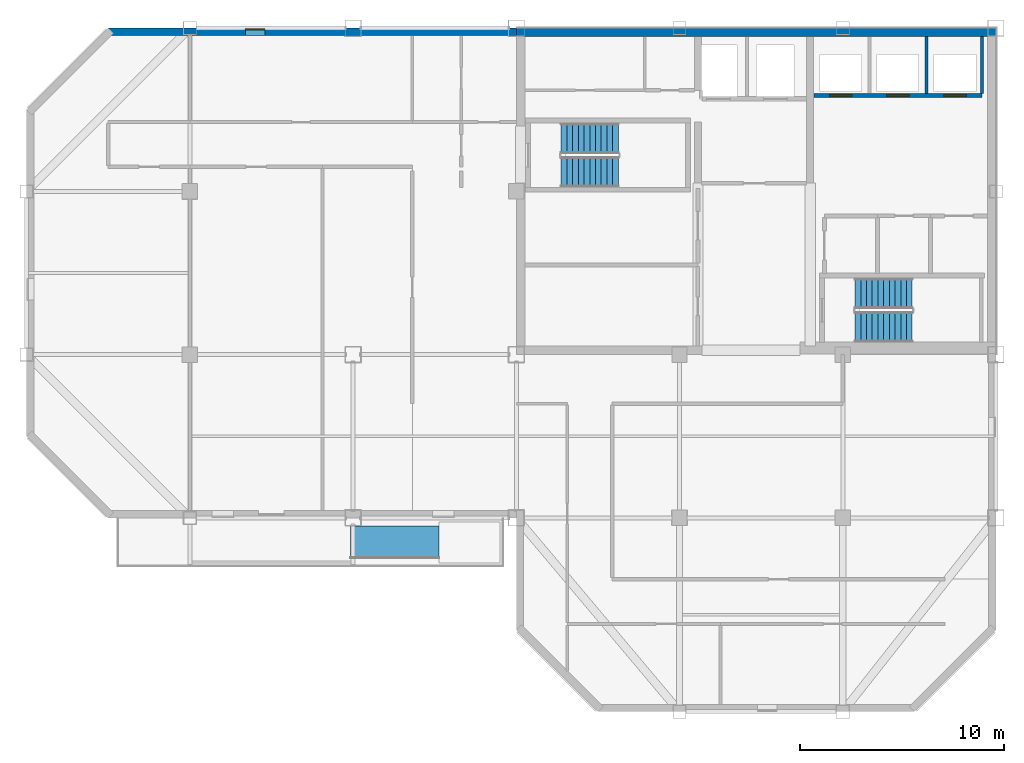
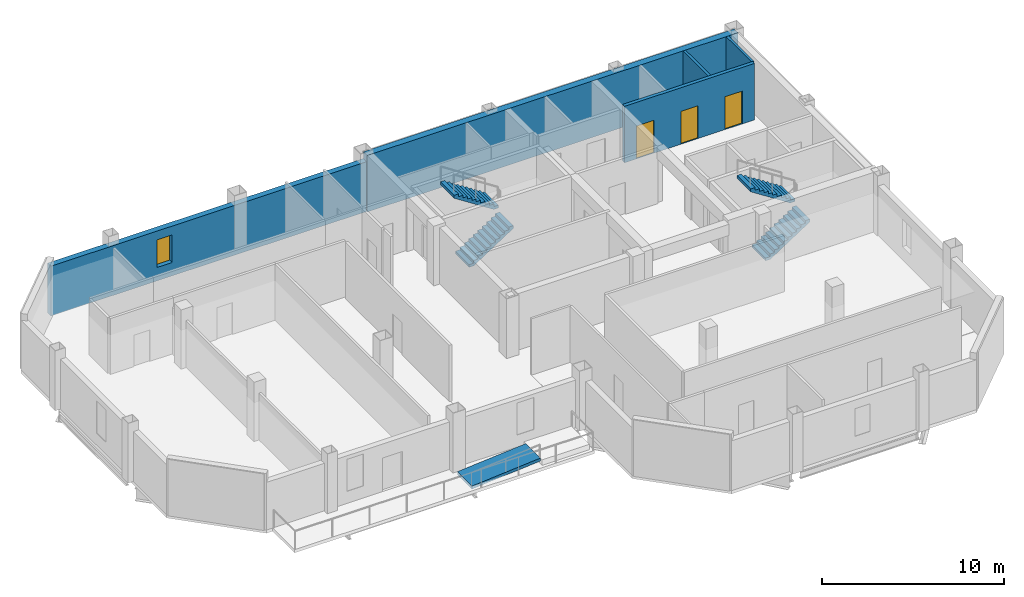
# One storey, part 4 of 7: 5 walls, 4 stair flights, 3 doors, 1 ramp flight, 1 window, 4 openings, 3 elements without a shape of their own.
"""IFC4 building model written with IfcOpenShell, lengths in metres."""

import ifcopenshell
import ifcopenshell.guid

model = None  # the IFC model being written
_history = None  # IfcOwnerHistory: only IFC2X3 demands one
_inside = {}  # id of a spatial element -> (the spatial element, [elements in it])
_under = {}  # id of a project, library or spatial element -> (it, [spatial elements below it])
_declared = {}  # id of a project -> (the project, [libraries it declares])
_typed = {}  # id of a type object -> (the type object, [elements of that type])
_made_of = {}  # id of a material, layer set ... -> (it, [elements and type objects made of it])


def new_model(schema):
    """Start an empty IFC model of exactly this schema.

    Asked for "IFC4X3", IfcOpenShell would pick the latest addendum, in which some entities
    have other attributes; the version numbers below select the first issue.
    IFC2X3 requires an IfcOwnerHistory on every rooted entity: one is made here for all.
    """
    global model, _history
    if schema == "IFC4X3":
        model = ifcopenshell.file(schema_version=(4, 3, 0, 0))
    else:
        model = ifcopenshell.file(schema=schema)
    _inside.clear()
    _under.clear()
    _declared.clear()
    _typed.clear()
    _made_of.clear()
    _history = None
    if model.schema == "IFC2X3":
        org = make("IfcOrganization", Name="unknown")
        user = make(
            "IfcPersonAndOrganization",
            ThePerson=make("IfcPerson", FamilyName="unknown"),
            TheOrganization=org,
        )
        app = make(
            "IfcApplication",
            ApplicationDeveloper=org,
            Version="unknown",
            ApplicationFullName="unknown",
            ApplicationIdentifier="unknown",
        )
        _history = make(
            "IfcOwnerHistory",
            OwningUser=user,
            OwningApplication=app,
            ChangeAction="ADDED",
            CreationDate=0,
        )
    return model


def make(cls, **values):
    """One entity of the class cls with the attributes given. An attribute that is None is left unset."""
    return model.create_entity(
        cls, **{name: value for name, value in values.items() if value is not None}
    )


def rooted(cls, **values):
    """An entity with a GlobalId (a new one), such as an element, a storey or a relation."""
    return make(cls, GlobalId=ifcopenshell.guid.new(), OwnerHistory=_history, **values)


def si_unit(unit_type, name, prefix=None):
    """IfcSIUnit, for example si_unit("LENGTHUNIT", "METRE", prefix="MILLI")."""
    return make("IfcSIUnit", UnitType=unit_type, Prefix=prefix, Name=name)


def assignment(units):
    """IfcUnitAssignment: the units of a project."""
    return None if units is None else make("IfcUnitAssignment", Units=units)


def point(xyz):
    """IfcCartesianPoint."""
    return None if xyz is None else make("IfcCartesianPoint", Coordinates=xyz)


def direction(xyz):
    """IfcDirection."""
    return None if xyz is None else make("IfcDirection", DirectionRatios=xyz)


def frame(location, z_axis=None, x_axis=None):
    """IfcAxis2Placement3D, a coordinate frame: its origin and axes. An axis left out is left unset."""
    return make(
        "IfcAxis2Placement3D",
        Location=point(location),
        Axis=direction(z_axis),
        RefDirection=direction(x_axis),
    )


def frame_2d(location, x_axis=None):
    """IfcAxis2Placement2D, a coordinate frame in the plane: its origin and x axis."""
    return make(
        "IfcAxis2Placement2D", Location=point(location), RefDirection=direction(x_axis)
    )


def origin():
    """The frame at (0, 0, 0) with its axes left unset."""
    return frame((0.0, 0.0, 0.0))


def place(relative_to, where):
    """IfcLocalPlacement: puts the frame where relative to a parent placement (None: the world)."""
    return make(
        "IfcLocalPlacement", PlacementRelTo=relative_to, RelativePlacement=where
    )


def context(
    kind, dimensions, precision=None, world=None, true_north=None, identifier=None
):
    """IfcGeometricRepresentationContext, for example the 3D "Model" context."""
    return make(
        "IfcGeometricRepresentationContext",
        ContextIdentifier=identifier,
        ContextType=kind,
        CoordinateSpaceDimension=dimensions,
        Precision=precision,
        WorldCoordinateSystem=world,
        TrueNorth=true_north,
    )


def subcontext(parent, identifier, kind, view, scale=None):
    """IfcGeometricRepresentationSubContext, for example "Body" below "Model"."""
    return make(
        "IfcGeometricRepresentationSubContext",
        ContextIdentifier=identifier,
        ContextType=kind,
        ParentContext=parent,
        TargetScale=scale,
        TargetView=view,
    )


def project(units=None, contexts=None):
    """IfcProject with its units and contexts."""
    return rooted(
        "IfcProject",
        Name="project",
        RepresentationContexts=contexts,
        UnitsInContext=assignment(units),
    )


def spatial(cls, under=None, at=None, **own):
    """A site, building, storey or space (cls), placed at a placement, below another one or the project."""
    s = rooted(cls, ObjectPlacement=at, **own)
    if under is not None:
        _under.setdefault(under.id(), (under, []))[1].append(s)
    return s


def polyline(points):
    """IfcPolyline through the points."""
    return make("IfcPolyline", Points=[point(p) for p in points])


def profile(cls, at=None, kind="AREA", **sizes):
    """A parametric profile (cls). Its sizes go by their IFC names, for example OverallWidth=200.0."""
    return make(cls, ProfileType=kind, Position=at, **sizes)


def rectangle(**sizes):
    """IfcRectangleProfileDef."""
    return profile("IfcRectangleProfileDef", **sizes)


def outline(outer, holes=None, kind="AREA"):
    """IfcArbitraryClosedProfileDef: a profile drawn as a closed curve; with holes, ...WithVoids."""
    if holes is None:
        return make("IfcArbitraryClosedProfileDef", ProfileType=kind, OuterCurve=outer)
    return make(
        "IfcArbitraryProfileDefWithVoids",
        ProfileType=kind,
        OuterCurve=outer,
        InnerCurves=holes,
    )


def extrude(swept, where, along, depth):
    """IfcExtrudedAreaSolid: the profile swept, set in the frame where, extruded along a direction by depth."""
    return make(
        "IfcExtrudedAreaSolid",
        SweptArea=swept,
        Position=where,
        ExtrudedDirection=direction(along),
        Depth=depth,
    )


def shape(context_of_items, identifier, shape_type, items):
    """IfcShapeRepresentation: the items that make up one representation, for example the "Body"."""
    return make(
        "IfcShapeRepresentation",
        ContextOfItems=context_of_items,
        RepresentationIdentifier=identifier,
        RepresentationType=shape_type,
        Items=items,
    )


def material(Name=None, Category=None):
    """IfcMaterial."""
    return make("IfcMaterial", Name=Name, Category=Category)


def layer(
    of_material, thickness, ventilated=None, Name=None, Category=None, Priority=None
):
    """IfcMaterialLayer: one layer of a wall or slab, of a material (None: an air gap)."""
    return make(
        "IfcMaterialLayer",
        Material=of_material,
        LayerThickness=thickness,
        IsVentilated=ventilated,
        Name=Name,
        Category=Category,
        Priority=Priority,
    )


def layer_set(layers, Name=None):
    """IfcMaterialLayerSet."""
    return make("IfcMaterialLayerSet", MaterialLayers=layers, LayerSetName=Name)


def made_of(thing, what):
    """Note that an element or type object is made of a material, layer set ...; save() writes the relation."""
    if what is not None:
        _made_of.setdefault(what.id(), (what, []))[1].append(thing)
    return thing


def type_object(cls, material=None, **own):
    """A type object (cls), such as IfcWallType, which elements share."""
    return made_of(rooted(cls, **own), material)


def element(
    cls,
    number,
    at=None,
    inside=None,
    cuts=None,
    type_object=None,
    material=None,
    context=None,
    identifier="Body",
    shape_type=None,
    held_by="IfcProductDefinitionShape",
    body=None,
    shapes=None,
    **own,
):
    """One element of the class cls, such as IfcWall. Its Tag is "e" and its number.

    at: its placement. inside: the storey or other place that contains it. cuts: it is an
    opening in that element (IfcRelVoidsElement). A single representation is given by context,
    identifier, shape_type and body (its items); several are given by shapes. held_by: the class
    of the entity that holds the representations. save() writes the other relations.
    """
    e = rooted(cls, Tag="e%d" % number, ObjectPlacement=at, **own)
    if body is not None:
        shapes = [shape(context, identifier, shape_type, body)]
    if shapes is not None:
        e.Representation = make(held_by, Representations=shapes)
    if inside is not None:
        _inside.setdefault(inside.id(), (inside, []))[1].append(e)
    if cuts is not None:
        rooted(
            "IfcRelVoidsElement", RelatingBuildingElement=cuts, RelatedOpeningElement=e
        )
    if type_object is not None:
        _typed.setdefault(type_object.id(), (type_object, []))[1].append(e)
    return made_of(e, material)


def fill(opening, filler):
    """IfcRelFillsElement: the door or window that sits in an opening."""
    return rooted(
        "IfcRelFillsElement",
        RelatingOpeningElement=opening,
        RelatedBuildingElement=filler,
    )


def aggregate(whole, parts):
    """IfcRelAggregates: a whole, such as a stair, and the parts it consists of."""
    return rooted("IfcRelAggregates", RelatingObject=whole, RelatedObjects=parts)


def save(model, path):
    """Write the relations noted so far, then the file.

    IfcRelAggregates (storeys below a building ...), IfcRelContainedInSpatialStructure (elements
    in a storey), IfcRelDefinesByType, IfcRelAssociatesMaterial and IfcRelDeclares: one each for
    every whole, place, type object, material and project.
    """
    for whole, parts in _under.values():
        aggregate(whole, parts)
    for where, things in _inside.values():
        rooted(
            "IfcRelContainedInSpatialStructure",
            RelatedElements=things,
            RelatingStructure=where,
        )
    for kind, things in _typed.values():
        rooted("IfcRelDefinesByType", RelatedObjects=things, RelatingType=kind)
    for what, things in _made_of.values():
        rooted("IfcRelAssociatesMaterial", RelatedObjects=things, RelatingMaterial=what)
    for by, libraries in _declared.values():
        rooted("IfcRelDeclares", RelatingContext=by, RelatedDefinitions=libraries)
    model.write(path)


model = new_model("IFC4")

# Units and contexts
model_context = context("Model", 3, precision=1e-05, world=origin(), true_north=direction((0.0, 1.0)))
body_context = subcontext(model_context, "Body", "Model", "MODEL_VIEW")
ifc_project = project(units=[si_unit("LENGTHUNIT", "METRE"), si_unit("AREAUNIT", "SQUARE_METRE"), si_unit("VOLUMEUNIT", "CUBIC_METRE"), si_unit("PLANEANGLEUNIT", "RADIAN"), si_unit("MASSUNIT", "GRAM", prefix="KILO")], contexts=[model_context])

# Site, building, storey
site_placement = place(None, origin())
site = spatial("IfcSite", under=ifc_project, at=site_placement, CompositionType="ELEMENT")
building_placement = place(site_placement, origin())
building = spatial("IfcBuilding", under=site, at=building_placement, Name="Qianrong Seaharbour Tower", CompositionType="ELEMENT")
storey_placement = place(building_placement, frame((0.0, 0.0, 323.199951171875)))
storey = spatial("IfcBuildingStorey", under=building, at=storey_placement, Name="L78", CompositionType="ELEMENT", Elevation=323.199951171875)

# Wall
ifc_material_1 = material(Name="Concrete C50/60", Category="concrete")
ifc_layer_1 = layer(ifc_material_1, 0.419921875)
ifc_layer_set_1 = layer_set([ifc_layer_1], Name="Concrete C50/60")
wall_type_1 = type_object("IfcWallType", Name="WALL-CORE-420", PredefinedType="SHEAR", material=ifc_layer_set_1)
wall_1_placement = place(storey_placement, frame((40.5, 51.7900390625, 0.0), z_axis=(0.0, 0.0, 1.0), x_axis=(1.0, 0.0, 0.0)))
element("IfcWall", 1, at=wall_1_placement, inside=storey, type_object=wall_type_1, Name="L78 North Core Shear Wall", PredefinedType="SHEAR", context=body_context, shape_type="SweptSolid", body=[
    extrude(rectangle(XDim=23.5, YDim=0.419921875, at=frame_2d((11.75, 0.0))), origin(), (0.0, 0.0, 1.0), 3.78515625),
])

# Wall, opening, window
ifc_material_2 = material(Name="Unitised red brick on Precast concrete C45/55", Category="masonry")
ifc_layer_2 = layer(ifc_material_2, 0.360107421875)
ifc_layer_set_2 = layer_set([ifc_layer_2], Name="Unitised red brick on Precast concrete C45/55")
wall_type_2 = type_object("IfcWallType", Name="WALL-EXT-BRICK-RED-360", PredefinedType="SOLIDWALL", material=ifc_layer_set_2)
wall_2_placement = place(storey_placement, frame((20.5, 51.820068359375, 0.0), z_axis=(0.0, 0.0, 1.0), x_axis=(1.0, 0.0, 0.0)))
wall_2 = element("IfcWall", 2, at=wall_2_placement, inside=storey, type_object=wall_type_2, Name="L78 Exterior Masonry Facade Wall NORTH_WING", PredefinedType="SOLIDWALL", context=body_context, shape_type="SweptSolid", body=[
    extrude(rectangle(XDim=20.02001953125, YDim=0.360107421875, at=frame_2d((10.010009765625, 0.0))), origin(), (0.0, 0.0, 1.0), 3.3349609375),
])
opening_1_placement = place(wall_2_placement, frame((6.72509765625, 0.0, 0.89990234375)))
opening_1 = element("IfcOpeningElement", 3, at=opening_1_placement, cuts=wall_2, Name="Opening WN-13", PredefinedType="OPENING", context=body_context, shape_type="SweptSolid", body=[
    extrude(rectangle(XDim=0.949951171875, YDim=1.85009765625, at=frame_2d((0.47509765625, 0.925048828125))), frame((0.0, 0.18994140625, 0.0), z_axis=(0.0, -1.0, 0.0), x_axis=(1.0, 0.0, 0.0)), (0.0, 0.0, 1.0), 0.380126953125),
])
ifc_material_3 = material(Name="Insulated low-e double glazing in thermally broken aluminium 6063-T6 frame", Category="aluminium")
window_type = type_object("IfcWindowType", Name="WIN-NARROW-950x1850", PartitioningType="SINGLE_PANEL", PredefinedType="WINDOW", material=ifc_material_3)
window_placement = place(opening_1_placement, origin())
window = element("IfcWindow", 4, at=window_placement, inside=storey, type_object=window_type, Name="L78 Deep-Set Punched Window 05.02", OverallHeight=1.85009765625, OverallWidth=0.949951171875, PartitioningType="SINGLE_PANEL", PredefinedType="WINDOW", context=body_context, shape_type="SweptSolid", body=[
    extrude(rectangle(XDim=0.949951171875, YDim=1.85009765625, at=frame_2d((0.47509765625, 0.925048828125))), frame((0.0, 0.150146484375, 0.0), z_axis=(0.0, -1.0, 0.0), x_axis=(1.0, 0.0, 0.0)), (0.0, 0.0, 1.0), 0.06005859375),
])
fill(opening_1, window)

# Walls
ifc_material_4 = material(Name="Fire-rated gypsum board on steel studs", Category="steel")
ifc_layer_3 = layer(ifc_material_4, 0.14990234375)
ifc_layer_set_3 = layer_set([ifc_layer_3], Name="Fire-rated gypsum board on steel studs")
wall_type_3 = type_object("IfcWallType", Name="WALL-SHAFT-DIV-150", PredefinedType="PARTITIONING", material=ifc_layer_set_3)
for number, where, z_axis, x_axis, name in (
    (5, (60.60009765625, 48.81005859375, 0.0), (0.0, 0.0, 1.0), (0.0, 1.0, 0.0), "L78 P4 Lift Hoistway Divider 3"),
    (6, (63.320068359375, 48.81005859375, 0.0), (0.0, 0.0, 1.0), (0.0, 1.0, 0.0), "L78 P4 Lift Hoistway Divider 4"),
):
    element("IfcWall", number, at=place(storey_placement, frame(where, z_axis=z_axis, x_axis=x_axis)), inside=storey, type_object=wall_type_3, Name=name, PredefinedType="PARTITIONING", context=body_context, shape_type="SweptSolid", body=[
        extrude(rectangle(XDim=2.77001953125, YDim=0.14990234375, at=frame_2d((1.385009765625, 0.0))), origin(), (0.0, 0.0, 1.0), 3.78515625),
    ])

# Wall, openings, doors
ifc_layer_4 = layer(ifc_material_4, 0.219970703125)
ifc_layer_set_4 = layer_set([ifc_layer_4], Name="Fire-rated gypsum board on steel studs")
wall_type_4 = type_object("IfcWallType", Name="WALL-SHAFT-GYP220", PredefinedType="PARTITIONING", material=ifc_layer_set_4)
wall_3_placement = place(storey_placement, frame((63.320068359375, 48.699951171875, 0.0), z_axis=(0.0, 0.0, 1.0), x_axis=(-1.0, 0.0, 0.0)))
wall_3 = element("IfcWall", 7, at=wall_3_placement, inside=storey, type_object=wall_type_4, Name="L78 P4 Lift Hoistway Front Wall", PredefinedType="PARTITIONING", context=body_context, shape_type="SweptSolid", body=[
    extrude(rectangle(XDim=8.239990234375, YDim=0.219970703125, at=frame_2d((4.1201171875, 0.0))), origin(), (0.0, 0.0, 1.0), 3.78515625),
])
opening_2_placement = place(wall_3_placement, frame((6.3701171875, 0.0, 0.0)))
opening_2 = element("IfcOpeningElement", 8, at=opening_2_placement, cuts=wall_3, Name="Opening LD-02", PredefinedType="OPENING", context=body_context, shape_type="SweptSolid", body=[
    extrude(rectangle(XDim=1.10009765625, YDim=2.199951171875, at=frame_2d((0.550048828125, 1.10009765625))), frame((0.0, 0.1201171875, 0.0), z_axis=(0.0, -1.0, 0.0), x_axis=(1.0, 0.0, 0.0)), (0.0, 0.0, 1.0), 0.239990234375),
])
opening_3_placement = place(wall_3_placement, frame((3.570068359375, 0.0, 0.0)))
opening_3 = element("IfcOpeningElement", 9, at=opening_3_placement, cuts=wall_3, Name="Opening LD-02", PredefinedType="OPENING", context=body_context, shape_type="SweptSolid", body=[
    extrude(rectangle(XDim=1.10009765625, YDim=2.199951171875, at=frame_2d((0.550048828125, 1.10009765625))), frame((0.0, 0.1201171875, 0.0), z_axis=(0.0, -1.0, 0.0), x_axis=(1.0, 0.0, 0.0)), (0.0, 0.0, 1.0), 0.239990234375),
])
opening_4_placement = place(wall_3_placement, frame((0.77001953125, 0.0, 0.0)))
opening_4 = element("IfcOpeningElement", 10, at=opening_4_placement, cuts=wall_3, Name="Opening LD-02", PredefinedType="OPENING", context=body_context, shape_type="SweptSolid", body=[
    extrude(rectangle(XDim=1.10009765625, YDim=2.199951171875, at=frame_2d((0.550048828125, 1.10009765625))), frame((0.0, 0.1201171875, 0.0), z_axis=(0.0, -1.0, 0.0), x_axis=(1.0, 0.0, 0.0)), (0.0, 0.0, 1.0), 0.239990234375),
])
ifc_material_5 = material(Name="Stainless steel SUS316L bi-parting lift landing door", Category="steel")
door_type = type_object("IfcDoorType", Name="DOOR-LIFT-PASS-1100x2200", OperationType="DOUBLE_DOOR_SLIDING", PredefinedType="DOOR", material=ifc_material_5)
door_1_placement = place(opening_2_placement, origin())
door_1 = element("IfcDoor", 11, at=door_1_placement, inside=storey, type_object=door_type, Name="L78 PL-4A Lift Landing Door", OperationType="DOUBLE_DOOR_SLIDING", OverallHeight=2.199951171875, OverallWidth=1.10009765625, PredefinedType="DOOR", context=body_context, shape_type="SweptSolid", body=[
    extrude(rectangle(XDim=1.10009765625, YDim=2.199951171875, at=frame_2d((0.550048828125, 1.10009765625))), frame((0.0, 0.02490234375, 0.0), z_axis=(0.0, -1.0, 0.0), x_axis=(1.0, 0.0, 0.0)), (0.0, 0.0, 1.0), 0.050048828125),
])
fill(opening_2, door_1)
door_2_placement = place(opening_3_placement, origin())
door_2 = element("IfcDoor", 12, at=door_2_placement, inside=storey, type_object=door_type, Name="L78 PL-4B Lift Landing Door", OperationType="DOUBLE_DOOR_SLIDING", OverallHeight=2.199951171875, OverallWidth=1.10009765625, PredefinedType="DOOR", context=body_context, shape_type="SweptSolid", body=[
    extrude(rectangle(XDim=1.10009765625, YDim=2.199951171875, at=frame_2d((0.550048828125, 1.10009765625))), frame((0.0, 0.02490234375, 0.0), z_axis=(0.0, -1.0, 0.0), x_axis=(1.0, 0.0, 0.0)), (0.0, 0.0, 1.0), 0.050048828125),
])
fill(opening_3, door_2)
door_3_placement = place(opening_4_placement, origin())
door_3 = element("IfcDoor", 13, at=door_3_placement, inside=storey, type_object=door_type, Name="L78 PL-4C Lift Landing Door", OperationType="DOUBLE_DOOR_SLIDING", OverallHeight=2.199951171875, OverallWidth=1.10009765625, PredefinedType="DOOR", context=body_context, shape_type="SweptSolid", body=[
    extrude(rectangle(XDim=1.10009765625, YDim=2.199951171875, at=frame_2d((0.550048828125, 1.10009765625))), frame((0.0, 0.02490234375, 0.0), z_axis=(0.0, -1.0, 0.0), x_axis=(1.0, 0.0, 0.0)), (0.0, 0.0, 1.0), 0.050048828125),
])
fill(opening_4, door_3)

# Stair, stair flights
stair_type = type_object("IfcStairType", Name="STAIR-DOGLEG-1500-R22", PredefinedType="HALF_TURN_STAIR", material=ifc_material_1)
stair_1_placement = place(storey_placement, origin())
stair_1 = element("IfcStair", 14, at=stair_1_placement, inside=storey, type_object=stair_type, Name="L78 Protected Escape Stair ST-1", PredefinedType="HALF_TURN_STAIR")
stair_flight_type = type_object("IfcStairFlightType", Name="FLIGHT-STR-1500-R22", PredefinedType="STRAIGHT", material=ifc_material_1)
stair_flight_1_placement = place(storey_placement, frame((42.699951171875, 44.949951171875, 0.0), z_axis=(0.0, 0.0, 1.0), x_axis=(1.0, 0.0, 0.0)))
stair_flight_1 = element("IfcStairFlight", 15, at=stair_flight_1_placement, type_object=stair_flight_type, Name="ST-1 flight 1", NumberOfRisers=11, NumberOfTreads=10, PredefinedType="STRAIGHT", RiserHeight=0.181818182, TreadLength=0.28, context=body_context, shape_type="SweptSolid", body=[
    extrude(outline(polyline([(0.0, 0.0), (0.0, 0.181884765625), (0.280029296875, 0.181884765625), (0.280029296875, 0.363525390625), (0.56005859375, 0.363525390625), (0.56005859375, 0.54541015625), (0.840087890625, 0.54541015625), (0.840087890625, 0.727294921875), (1.1201171875, 0.727294921875), (1.1201171875, 0.9091796875), (1.39990234375, 0.9091796875), (1.39990234375, 1.0908203125), (1.679931640625, 1.0908203125), (1.679931640625, 1.272705078125), (1.9599609375, 1.272705078125), (1.9599609375, 1.45458984375), (2.239990234375, 1.45458984375), (2.239990234375, 1.636474609375), (2.52001953125, 1.636474609375), (2.52001953125, 1.818115234375), (2.800048828125, 1.818115234375), (2.800048828125, 2.0), (2.800048828125, 1.62744140625), (0.293701171875, 0.0), (0.0, 0.0)])), frame((0.0, 0.75, 0.0), z_axis=(0.0, -1.0, 0.0), x_axis=(1.0, 0.0, 0.0)), (0.0, 0.0, 1.0), 1.5),
])
stair_flight_2_placement = place(storey_placement, frame((45.5, 46.60009765625, 2.0), z_axis=(0.0, 0.0, 1.0), x_axis=(-1.0, 0.0, 0.0)))
stair_flight_2 = element("IfcStairFlight", 16, at=stair_flight_2_placement, type_object=stair_flight_type, Name="ST-1 flight 2", NumberOfRisers=11, NumberOfTreads=10, PredefinedType="STRAIGHT", RiserHeight=0.181818182, TreadLength=0.28, context=body_context, shape_type="SweptSolid", body=[
    extrude(outline(polyline([(0.0, 0.0), (0.0, 0.181884765625), (0.280029296875, 0.181884765625), (0.280029296875, 0.363525390625), (0.56005859375, 0.363525390625), (0.56005859375, 0.54541015625), (0.840087890625, 0.54541015625), (0.840087890625, 0.727294921875), (1.1201171875, 0.727294921875), (1.1201171875, 0.9091796875), (1.39990234375, 0.9091796875), (1.39990234375, 1.0908203125), (1.679931640625, 1.0908203125), (1.679931640625, 1.272705078125), (1.9599609375, 1.272705078125), (1.9599609375, 1.45458984375), (2.239990234375, 1.45458984375), (2.239990234375, 1.636474609375), (2.52001953125, 1.636474609375), (2.52001953125, 1.818115234375), (2.800048828125, 1.818115234375), (2.800048828125, 2.0), (2.800048828125, 1.62744140625), (0.293701171875, 0.0), (0.0, 0.0)])), frame((0.0, 0.75, 0.0), z_axis=(0.0, -1.0, 0.0), x_axis=(1.0, 0.0, 0.0)), (0.0, 0.0, 1.0), 1.5),
])
aggregate(stair_1, [stair_flight_1, stair_flight_2])

stair_2_placement = place(storey_placement, origin())
stair_2 = element("IfcStair", 17, at=stair_2_placement, inside=storey, type_object=stair_type, Name="L78 Protected Escape Stair ST-2", PredefinedType="HALF_TURN_STAIR")
stair_flight_3_placement = place(storey_placement, frame((57.10009765625, 37.35009765625, 0.0), z_axis=(0.0, 0.0, 1.0), x_axis=(1.0, 0.0, 0.0)))
stair_flight_3 = element("IfcStairFlight", 18, at=stair_flight_3_placement, type_object=stair_flight_type, Name="ST-2 flight 1", NumberOfRisers=11, NumberOfTreads=10, PredefinedType="STRAIGHT", RiserHeight=0.181818182, TreadLength=0.28, context=body_context, shape_type="SweptSolid", body=[
    extrude(outline(polyline([(0.0, 0.0), (0.0, 0.181884765625), (0.280029296875, 0.181884765625), (0.280029296875, 0.363525390625), (0.56005859375, 0.363525390625), (0.56005859375, 0.54541015625), (0.840087890625, 0.54541015625), (0.840087890625, 0.727294921875), (1.1201171875, 0.727294921875), (1.1201171875, 0.9091796875), (1.39990234375, 0.9091796875), (1.39990234375, 1.0908203125), (1.679931640625, 1.0908203125), (1.679931640625, 1.272705078125), (1.9599609375, 1.272705078125), (1.9599609375, 1.45458984375), (2.239990234375, 1.45458984375), (2.239990234375, 1.636474609375), (2.52001953125, 1.636474609375), (2.52001953125, 1.818115234375), (2.800048828125, 1.818115234375), (2.800048828125, 2.0), (2.800048828125, 1.62744140625), (0.293701171875, 0.0), (0.0, 0.0)])), frame((0.0, 0.75, 0.0), z_axis=(0.0, -1.0, 0.0), x_axis=(1.0, 0.0, 0.0)), (0.0, 0.0, 1.0), 1.5),
])
stair_flight_4_placement = place(storey_placement, frame((59.89990234375, 39.0, 2.0), z_axis=(0.0, 0.0, 1.0), x_axis=(-1.0, 0.0, 0.0)))
stair_flight_4 = element("IfcStairFlight", 19, at=stair_flight_4_placement, type_object=stair_flight_type, Name="ST-2 flight 2", NumberOfRisers=11, NumberOfTreads=10, PredefinedType="STRAIGHT", RiserHeight=0.181818182, TreadLength=0.28, context=body_context, shape_type="SweptSolid", body=[
    extrude(outline(polyline([(0.0, 0.0), (0.0, 0.181884765625), (0.280029296875, 0.181884765625), (0.280029296875, 0.363525390625), (0.56005859375, 0.363525390625), (0.56005859375, 0.54541015625), (0.840087890625, 0.54541015625), (0.840087890625, 0.727294921875), (1.1201171875, 0.727294921875), (1.1201171875, 0.9091796875), (1.39990234375, 0.9091796875), (1.39990234375, 1.0908203125), (1.679931640625, 1.0908203125), (1.679931640625, 1.272705078125), (1.9599609375, 1.272705078125), (1.9599609375, 1.45458984375), (2.239990234375, 1.45458984375), (2.239990234375, 1.636474609375), (2.52001953125, 1.636474609375), (2.52001953125, 1.818115234375), (2.800048828125, 1.818115234375), (2.800048828125, 2.0), (2.800048828125, 1.62744140625), (0.293701171875, 0.0), (0.0, 0.0)])), frame((0.0, 0.75, 0.0), z_axis=(0.0, -1.0, 0.0), x_axis=(1.0, 0.0, 0.0)), (0.0, 0.0, 1.0), 1.5),
])
aggregate(stair_2, [stair_flight_3, stair_flight_4])

# Ramp, ramp flight
ifc_material_6 = material(Name="White architectural precast concrete C45/55", Category="concrete")
ramp_type = type_object("IfcRampType", Name="RAMP-RIBBON-GARDEN", PredefinedType="STRAIGHT_RUN_RAMP", material=ifc_material_6)
ramp_placement = place(storey_placement, origin())
ramp = element("IfcRamp", 20, at=ramp_placement, inside=storey, type_object=ramp_type, Name="L78 Harbourfront Garden Ribbon Ramp", PredefinedType="STRAIGHT_RUN_RAMP")
ifc_layer_5 = layer(ifc_material_6, 0.199951171875)
ifc_layer_set_5 = layer_set([ifc_layer_5], Name="White architectural precast concrete C45/55")
ramp_flight_type = type_object("IfcRampFlightType", Name="RAMP-FLIGHT-GARDEN-200", PredefinedType="STRAIGHT", material=ifc_layer_set_5)
ramp_flight_placement = place(storey_placement, frame((32.3798828125, 26.800048828125, 0.0), z_axis=(0.0, 0.0, 1.0), x_axis=(1.0, 0.0, 0.0)))
ramp_flight = element("IfcRampFlight", 21, at=ramp_flight_placement, type_object=ramp_flight_type, Name="L78 Harbourfront Garden Ribbon Ramp Flight", PredefinedType="STRAIGHT", context=body_context, shape_type="SweptSolid", body=[
    extrude(outline(polyline([(0.0, 0.0), (4.320068359375, 0.360107421875), (4.320068359375, 0.16015625), (0.0, -0.199951171875), (0.0, 0.0)])), frame((0.0, 0.800048828125, 0.0), z_axis=(0.0, -1.0, 0.0), x_axis=(1.0, 0.0, 0.0)), (0.0, 0.0, 1.0), 1.60009765625),
])
aggregate(ramp, [ramp_flight])

save(model, "model.ifc")
